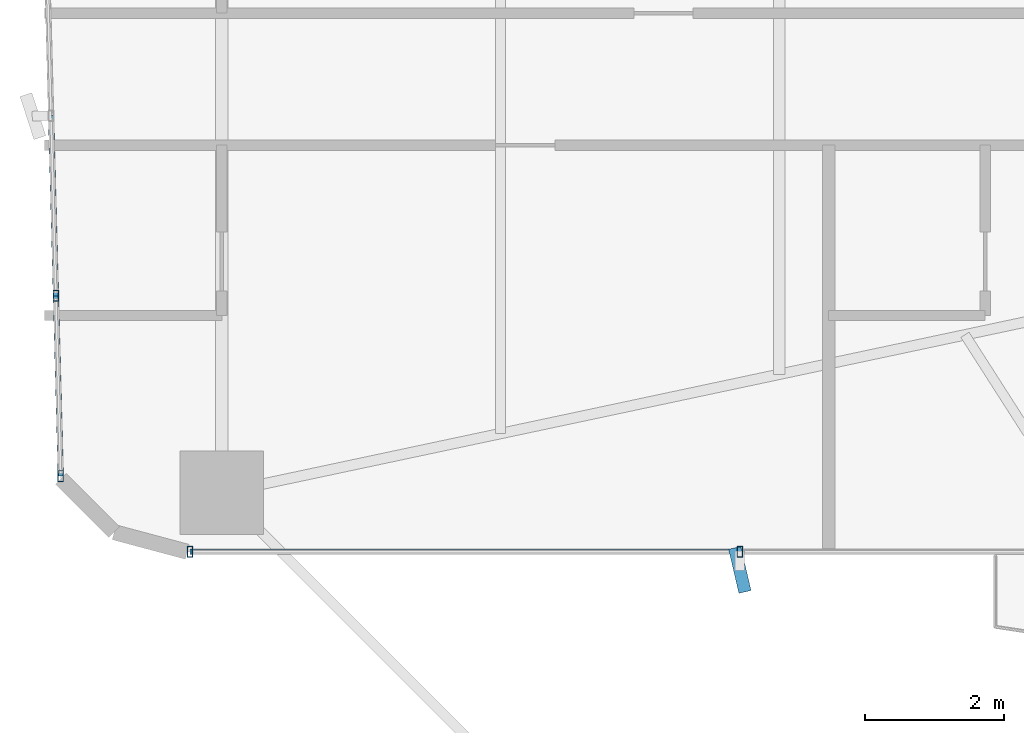
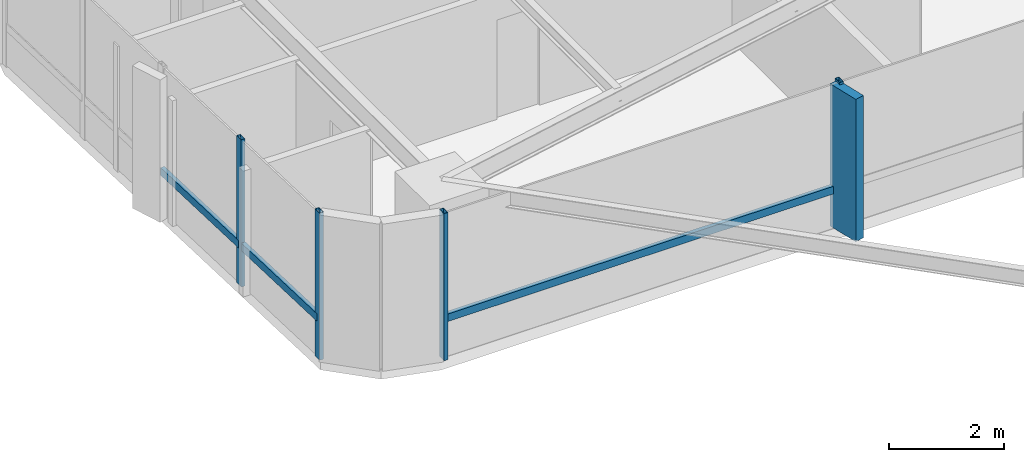
# One storey, part 6 of 26: 8 members, 2 elements without a shape of their own.
"""IFC4 building model written with IfcOpenShell, lengths in metres."""

from ifc_helpers import new_model, si_unit, direction, frame, origin, origin_2d, place, context, subcontext, project, spatial, rectangle, hollow_rectangle, extrude, source, transform, mapped, material, material_profile, profile_set, type_object, element, aggregate, save


model = new_model("IFC4")

# Units and contexts
model_context = context("Model", 3, precision=1e-05, world=origin(), true_north=direction((0.0, 1.0)))
body_context = subcontext(model_context, "Body", "Model", "MODEL_VIEW")
ifc_project = project(units=[si_unit("LENGTHUNIT", "METRE"), si_unit("AREAUNIT", "SQUARE_METRE"), si_unit("VOLUMEUNIT", "CUBIC_METRE"), si_unit("PLANEANGLEUNIT", "RADIAN"), si_unit("MASSUNIT", "GRAM", prefix="KILO")], contexts=[model_context])

# Site, building, storey
site_placement = place(None, origin())
site = spatial("IfcSite", under=ifc_project, at=site_placement, CompositionType="ELEMENT")
building_placement = place(site_placement, origin())
building = spatial("IfcBuilding", under=site, at=building_placement, Name="Sahyath Konkavel Grand Hotel", CompositionType="ELEMENT")
storey_placement = place(building_placement, frame((0.0, 0.0, 29.800048828125)))
storey = spatial("IfcBuildingStorey", under=building, at=storey_placement, Name="L07", CompositionType="ELEMENT", Elevation=29.800048828125)

# Curtain wall, members
ifc_material_1 = material(Name="Anodised Bronze Aluminium & Low-E Glazing", Category="aluminium")
curtain_wall_type = type_object("IfcCurtainWallType", Name="CW-ZONE1", PredefinedType="NOTDEFINED", material=ifc_material_1)
curtain_wall_1_placement = place(storey_placement, origin())
curtain_wall_1 = element("IfcCurtainWall", 1, at=curtain_wall_1_placement, inside=storey, type_object=curtain_wall_type, Name="L07 Unitised Curtain Wall F20", PredefinedType="NOTDEFINED")
ifc_material_2 = material(Name="Anodised Bronze Aluminium", Category="aluminium")
ifc_material_profile_1 = material_profile(ifc_material_2, hollow_rectangle(XDim=0.080078125, YDim=0.159912109375, WallThickness=0.006103515625, at=origin_2d()), Name="RHS 160x80x6")
ifc_profile_set_1 = profile_set([ifc_material_profile_1], Name="Anodised Bronze Aluminium")
member_type_1 = type_object("IfcMemberType", Name="CW-MUL-160", PredefinedType="MULLION", material=ifc_profile_set_1)
shared_shape_1 = source(origin(), body_context, "Body", "SweptSolid", [
    extrude(hollow_rectangle(XDim=0.080078125, YDim=0.159912109375, WallThickness=0.006103515625, at=origin_2d()), origin(), (0.0, 0.0, 1.0), 3.10986328125),
])
member_1_placement = place(storey_placement, frame((-24.589599609375, -3.117431640625, 0.0), z_axis=(0.0, 0.0, 1.0), x_axis=(1.0, 0.0, 0.0)))
member_1 = element("IfcMember", 2, at=member_1_placement, type_object=member_type_1, Name="L07 Curtain Wall Mullion F20-3", PredefinedType="MULLION", context=body_context, shape_type="MappedRepresentation", body=[
    mapped(shared_shape_1, transform((0.0, 0.0, 0.0), scale=1.0)),
])
member_2_placement = place(storey_placement, frame((-24.519775390625, -5.7099609375, 0.0), z_axis=(0.0, 0.0, 1.0), x_axis=(1.0, 0.0, 0.0)))
member_2 = element("IfcMember", 3, at=member_2_placement, type_object=member_type_1, Name="L07 Curtain Wall Mullion F20-4", PredefinedType="MULLION", context=body_context, shape_type="MappedRepresentation", body=[
    mapped(shared_shape_1, transform((0.0, 0.0, 0.0), scale=1.0)),
])

curtain_wall_2_placement = place(storey_placement, origin())
curtain_wall_2 = element("IfcCurtainWall", 4, at=curtain_wall_2_placement, inside=storey, type_object=curtain_wall_type, Name="L07 Unitised Curtain Wall F23", PredefinedType="NOTDEFINED")
member_3_placement = place(storey_placement, frame((-22.659912109375, -6.800048828125, 0.0), z_axis=(0.0, 0.0, 1.0), x_axis=(1.0, 0.0, 0.0)))
member_3 = element("IfcMember", 5, at=member_3_placement, type_object=member_type_1, Name="L07 Curtain Wall Mullion F23-0", PredefinedType="MULLION", context=body_context, shape_type="MappedRepresentation", body=[
    mapped(shared_shape_1, transform((0.0, 0.0, 0.0), scale=1.0)),
])
member_4_placement = place(storey_placement, frame((-14.75, -6.800048828125, 0.0), z_axis=(0.0, 0.0, 1.0), x_axis=(1.0, 0.0, 0.0)))
member_4 = element("IfcMember", 6, at=member_4_placement, type_object=member_type_1, Name="L07 Curtain Wall Mullion F23-1", PredefinedType="MULLION", context=body_context, shape_type="MappedRepresentation", body=[
    mapped(shared_shape_1, transform((0.0, 0.0, 0.0), scale=1.0)),
])
ifc_material_3 = material(Name="Warm Buff Sandstone Cladding on Concrete C50/60", Category="masonry")
ifc_material_profile_2 = material_profile(ifc_material_3, rectangle(XDim=0.179931640625, YDim=0.64990234375, at=origin_2d()), Name="FIN 180x650")
ifc_profile_set_2 = profile_set([ifc_material_profile_2], Name="Warm Buff Sandstone Cladding on Concrete C50/60")
member_type_2 = type_object("IfcMemberType", Name="FIN-SANDSTONE-650", PredefinedType="MULLION", material=ifc_profile_set_2)
shared_shape_2 = source(origin(), body_context, "Body", "SweptSolid", [
    extrude(rectangle(XDim=0.179931640625, YDim=0.64990234375, at=origin_2d()), origin(), (0.0, 0.0, 1.0), 3.010009765625),
])
member_5_placement = place(storey_placement, frame((-14.75, -7.06005859375, 0.050048828125), z_axis=(0.0, 0.0, 1.0), x_axis=(0.973896791711, 0.226991275371, 0.0)))
member_5 = element("IfcMember", 7, at=member_5_placement, type_object=member_type_2, Name="L07 Sandstone Vertical Solar Fin FIN F23-1", PredefinedType="MULLION", context=body_context, shape_type="MappedRepresentation", body=[
    mapped(shared_shape_2, transform((0.0, 0.0, 0.0), scale=1.0)),
])
ifc_material_profile_3 = material_profile(ifc_material_2, hollow_rectangle(XDim=0.080078125, YDim=0.159912109375, WallThickness=0.006103515625, at=origin_2d()), Name="RHS 160x80x6")
ifc_profile_set_3 = profile_set([ifc_material_profile_3], Name="Anodised Bronze Aluminium")
member_type_3 = type_object("IfcMemberType", Name="CW-TRN-160", PredefinedType="USERDEFINED", material=ifc_profile_set_3)
shared_shape_3 = source(origin(), body_context, "Body", "SweptSolid", [
    extrude(hollow_rectangle(XDim=0.080078125, YDim=0.159912109375, WallThickness=0.006103515625, at=origin_2d()), origin(), (0.0, 0.0, 1.0), 7.909912109375),
])
member_6_placement = place(storey_placement, frame((-22.659912109375, -6.800048828125, 0.849853515625), z_axis=(1.0, 0.0, 0.0), x_axis=(0.0, 1.0, 0.0)))
member_6 = element("IfcMember", 8, at=member_6_placement, type_object=member_type_3, Name="L07 Curtain Wall Transom F23-0-spandrel", ObjectType="TRANSOM", PredefinedType="USERDEFINED", context=body_context, shape_type="MappedRepresentation", body=[
    mapped(shared_shape_3, transform((0.0, 0.0, 0.0), scale=1.0)),
])
aggregate(curtain_wall_2, [member_3, member_4, member_5, member_6])

# Member
shared_shape_4 = source(origin(), body_context, "Body", "SweptSolid", [
    extrude(hollow_rectangle(XDim=0.080078125, YDim=0.159912109375, WallThickness=0.006103515625, at=origin_2d()), origin(), (0.0, 0.0, 1.0), 2.593505859375),
])
member_7_placement = place(storey_placement, frame((-24.6591796875, -0.52490234375, 0.849853515625), z_axis=(0.02682902444, -0.999640036937, 0.0), x_axis=(0.999640036937, 0.02682902444, 0.0)))
member_7 = element("IfcMember", 9, at=member_7_placement, type_object=member_type_3, Name="L07 Curtain Wall Transom F20-2-spandrel", ObjectType="TRANSOM", PredefinedType="USERDEFINED", context=body_context, shape_type="MappedRepresentation", body=[
    mapped(shared_shape_4, transform((0.0, 0.0, 0.0), scale=1.0)),
])

member_8_placement = place(storey_placement, frame((-24.589599609375, -3.117431640625, 0.849853515625), z_axis=(0.026923093252, -0.999637507825, 0.0), x_axis=(0.999637507825, 0.026923093252, 0.0)))
member_8 = element("IfcMember", 10, at=member_8_placement, type_object=member_type_3, Name="L07 Curtain Wall Transom F20-3-spandrel", ObjectType="TRANSOM", PredefinedType="USERDEFINED", context=body_context, shape_type="MappedRepresentation", body=[
    mapped(shared_shape_4, transform((0.0, 0.0, 0.0), scale=1.0)),
])

aggregate(curtain_wall_1, [member_1, member_2, member_7, member_8])

save(model, "model.ifc")
